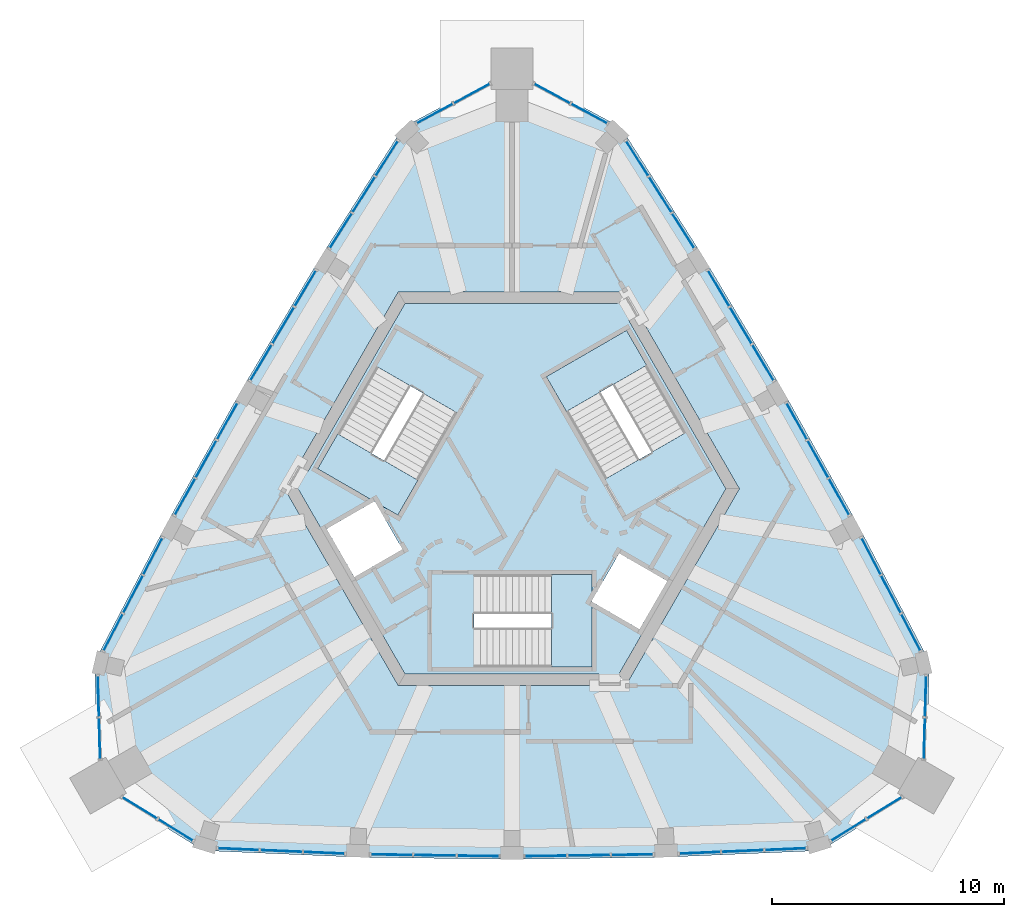
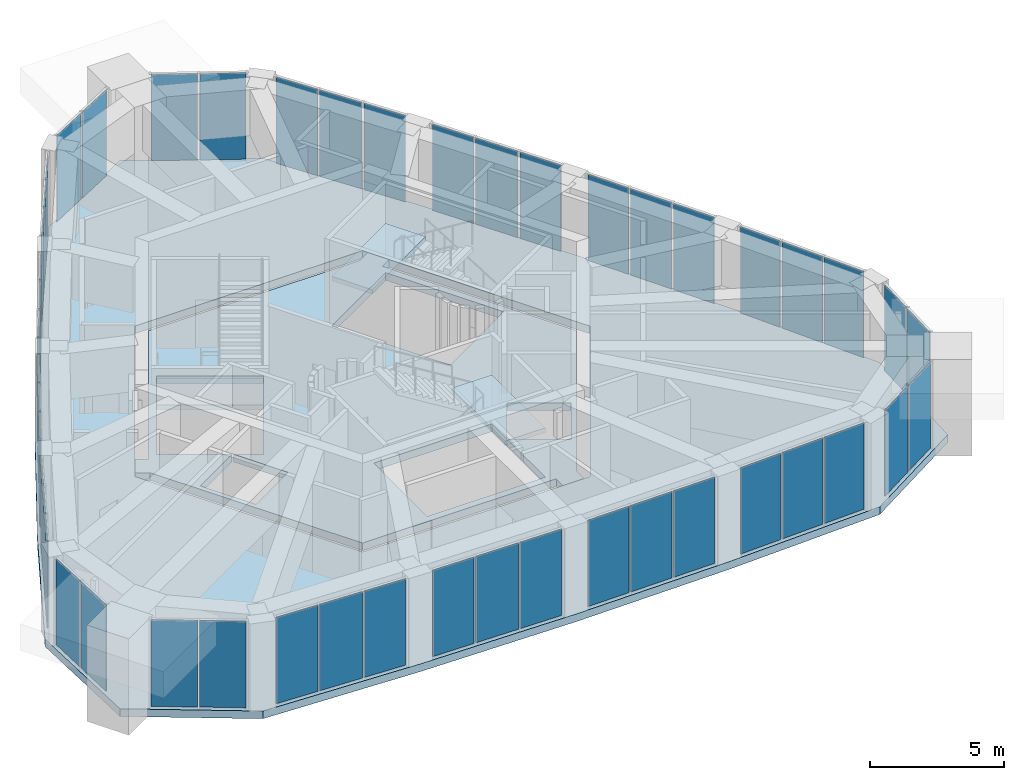
# One storey, part 6 of 11: 48 plates, 5 slabs, 21 elements without a shape of their own.
"""IFC4 building model written with IfcOpenShell, lengths in metres."""

from ifc_helpers import new_model, si_unit, direction, frame, origin, origin_2d, place, context, subcontext, project, spatial, polyline, rectangle, outline, extrude, material, layer, layer_set, type_object, element, aggregate, save


model = new_model("IFC4")

# Units and contexts
model_context = context("Model", 3, precision=1e-05, world=origin(), true_north=direction((0.0, 1.0)))
body_context = subcontext(model_context, "Body", "Model", "MODEL_VIEW")
ifc_project = project(units=[si_unit("LENGTHUNIT", "METRE"), si_unit("AREAUNIT", "SQUARE_METRE"), si_unit("VOLUMEUNIT", "CUBIC_METRE"), si_unit("PLANEANGLEUNIT", "RADIAN"), si_unit("MASSUNIT", "GRAM", prefix="KILO")], contexts=[model_context])

# Site, building, storey
site_placement = place(None, origin())
site = spatial("IfcSite", under=ifc_project, at=site_placement, CompositionType="ELEMENT")
building_placement = place(site_placement, origin())
building = spatial("IfcBuilding", under=site, at=building_placement, Name="Entoto Arch Interchange Tower", CompositionType="ELEMENT")
storey_placement = place(building_placement, frame((0.0, 0.0, 353.89990234375)))
storey = spatial("IfcBuildingStorey", under=building, at=storey_placement, Name="L83", CompositionType="ELEMENT", Elevation=353.89990234375)

# Slab
ifc_material_1 = material(Name="Concrete C40/50", Category="concrete")
ifc_layer_1 = layer(ifc_material_1, 0.35009765625)
ifc_layer_set_1 = layer_set([ifc_layer_1], Name="Concrete C40/50")
slab_type_1 = type_object("IfcSlabType", Name="Core floor slab 350 C40/50", PredefinedType="FLOOR", material=ifc_layer_set_1)
slab_1_placement = place(storey_placement, frame((0.0, 0.0, -0.349853515625)))
element("IfcSlab", 1, at=slab_1_placement, inside=storey, type_object=slab_type_1, Name="Core floor slab L83", PredefinedType="FLOOR", context=body_context, shape_type="SweptSolid", body=[
    extrude(outline(polyline([(-9.208984375, 2.449951171875), (-9.222900390625, 2.425048828125), (-9.699951171875, 2.699951171875), (-9.236083984375, 3.501953125), (-8.802978515625, 3.2529296875), (-4.618896484375, 10.5), (4.56103515625, 10.5), (4.5458984375, 10.52490234375), (5.02197265625, 10.800048828125), (5.486083984375, 9.998046875), (5.052978515625, 9.748046875), (9.238037109375, 2.5), (4.64794921875, -5.449951171875), (4.676025390625, -5.449951171875), (4.676025390625, -6.0), (3.75, -6.0), (3.75, -5.5), (-4.618896484375, -5.5), (-9.208984375, 2.449951171875)]), holes=[polyline([(5.5048828125, -3.56494140625), (6.705078125, -1.487060546875), (4.626953125, -0.287109375), (3.449951171875, -2.324951171875), (3.449951171875, -1.199951171875), (-1.64990234375, -1.199951171875), (-1.64990234375, -5.199951171875), (3.449951171875, -5.199951171875), (3.449951171875, -2.3779296875), (5.5048828125, -3.56494140625)]), polyline([(-4.928955078125, 1.362060546875), (-2.37890625, 5.779052734375), (-5.843017578125, 7.779052734375), (-8.39306640625, 3.362060546875), (-5.949951171875, 1.951904296875), (-8.0048828125, 0.764892578125), (-6.804931640625, -1.31298828125), (-4.72705078125, -0.113037109375), (-5.904052734375, 1.925048828125), (-4.928955078125, 1.362060546875)]), polyline([(7.492919921875, 4.9208984375), (4.943115234375, 9.337890625), (1.47900390625, 7.337890625), (4.029052734375, 2.9208984375), (7.492919921875, 4.9208984375)])]), origin(), (0.0, 0.0, 1.0), 0.349853515625),
])

# Stair, slab
stair_type = type_object("IfcStairType", Name="EXIT STAIR RC 1700", PredefinedType="HALF_TURN_STAIR", material=ifc_material_1)
stair_1_placement = place(storey_placement, origin())
stair_1 = element("IfcStair", 2, at=stair_1_placement, inside=storey, type_object=stair_type, Name="L83 Exit stair S", PredefinedType="HALF_TURN_STAIR")
ifc_layer_2 = layer(ifc_material_1, 0.199951171875)
ifc_layer_set_2 = layer_set([ifc_layer_2], Name="Concrete C40/50")
slab_type_2 = type_object("IfcSlabType", Name="EXIT STAIR LANDING RC 200", PredefinedType="LANDING", material=ifc_layer_set_2)
slab_2_placement = place(storey_placement, frame((0.0, 0.0, 2.050048828125)))
slab_2 = element("IfcSlab", 3, at=slab_2_placement, type_object=slab_type_2, Name="ST-S landing 1", PredefinedType="LANDING", context=body_context, shape_type="SweptSolid", body=[
    extrude(outline(polyline([(1.7099609375, -5.199951171875), (3.449951171875, -5.199951171875), (3.449951171875, -1.199951171875), (1.7099609375, -1.199951171875), (1.7099609375, -5.199951171875)])), origin(), (0.0, 0.0, 1.0), 0.199951171875),
])
aggregate(stair_1, [slab_2])

stair_2_placement = place(storey_placement, origin())
stair_2 = element("IfcStair", 4, at=stair_2_placement, inside=storey, type_object=stair_type, Name="L83 Exit stair NE", PredefinedType="HALF_TURN_STAIR")
slab_3_placement = place(storey_placement, frame((0.0, 0.0, 2.050048828125)))
slab_3 = element("IfcSlab", 5, at=slab_3_placement, type_object=slab_type_2, Name="ST-NE landing 1", PredefinedType="LANDING", context=body_context, shape_type="SweptSolid", body=[
    extrude(outline(polyline([(5.8134765625, 7.830810546875), (4.943359375, 9.337890625), (1.479248046875, 7.337890625), (2.349365234375, 5.830810546875), (5.8134765625, 7.830810546875)])), origin(), (0.0, 0.0, 1.0), 0.199951171875),
])
aggregate(stair_2, [slab_3])

stair_3_placement = place(storey_placement, origin())
stair_3 = element("IfcStair", 6, at=stair_3_placement, inside=storey, type_object=stair_type, Name="L83 Exit stair NW", PredefinedType="HALF_TURN_STAIR")
slab_4_placement = place(storey_placement, frame((0.0, 0.0, 2.050048828125)))
slab_4 = element("IfcSlab", 7, at=slab_4_placement, type_object=slab_type_2, Name="ST-NW landing 1", PredefinedType="LANDING", context=body_context, shape_type="SweptSolid", body=[
    extrude(outline(polyline([(-7.5234375, 4.869140625), (-8.393310546875, 3.3623046875), (-4.92919921875, 1.3623046875), (-4.059326171875, 2.869140625), (-7.5234375, 4.869140625)])), origin(), (0.0, 0.0, 1.0), 0.199951171875),
])
aggregate(stair_3, [slab_4])

# Curtain wall, plates
ifc_material_2 = material(Name="Aluminium, anodised", Category="aluminium")
curtain_wall_type = type_object("IfcCurtainWallType", Name="CURTAIN WALL CROWN LANTERN", PredefinedType="NOTDEFINED", material=ifc_material_2)
curtain_wall_1_placement = place(storey_placement, origin())
curtain_wall_1 = element("IfcCurtainWall", 8, at=curtain_wall_1_placement, inside=storey, type_object=curtain_wall_type, Name="Crown Lantern glazing S-01 L83", PredefinedType="NOTDEFINED")
ifc_material_3 = material(Name="Clear glass, low-e double glazed", Category="glass")
ifc_layer_3 = layer(ifc_material_3, 0.028076171875)
ifc_layer_set_3 = layer_set([ifc_layer_3], Name="Clear glass, low-e double glazed")
plate_type = type_object("IfcPlateType", Name="GLAZING PANEL CROWN LANTERN 28", PredefinedType="CURTAIN_PANEL", material=ifc_layer_set_3)
plate_1_placement = place(storey_placement, frame((-11.811767578125, -13.060791015625, 0.06005859375), z_axis=(0.0, 0.0, 1.0), x_axis=(0.999086808302, -0.042726449388, 0.0)))
plate_1 = element("IfcPlate", 9, at=plate_1_placement, type_object=plate_type, Name="CWL panel 1.1", PredefinedType="CURTAIN_PANEL", context=body_context, shape_type="SweptSolid", body=[
    extrude(rectangle(XDim=1.75244140625, YDim=0.028076171875, at=origin_2d()), origin(), (0.0, 0.0, 1.0), 3.929931640625),
])
plate_2_placement = place(storey_placement, frame((-9.9609375, -13.139892578125, 0.06005859375), z_axis=(0.0, 0.0, 1.0), x_axis=(0.999086808302, -0.042726449388, 0.0)))
plate_2 = element("IfcPlate", 10, at=plate_2_placement, type_object=plate_type, Name="CWL panel 2.1", PredefinedType="CURTAIN_PANEL", context=body_context, shape_type="SweptSolid", body=[
    extrude(rectangle(XDim=1.79248046875, YDim=0.028076171875, at=origin_2d()), origin(), (0.0, 0.0, 1.0), 3.929931640625),
])
plate_3_placement = place(storey_placement, frame((-8.1103515625, -13.21923828125, 0.06005859375), z_axis=(0.0, 0.0, 1.0), x_axis=(0.999086808302, -0.042726449388, 0.0)))
plate_3 = element("IfcPlate", 11, at=plate_3_placement, type_object=plate_type, Name="CWL panel 3.1", PredefinedType="CURTAIN_PANEL", context=body_context, shape_type="SweptSolid", body=[
    extrude(rectangle(XDim=1.75244140625, YDim=0.028076171875, at=origin_2d()), origin(), (0.0, 0.0, 1.0), 3.929931640625),
])
aggregate(curtain_wall_1, [plate_1, plate_2, plate_3])

curtain_wall_2_placement = place(storey_placement, origin())
curtain_wall_2 = element("IfcCurtainWall", 12, at=curtain_wall_2_placement, inside=storey, type_object=curtain_wall_type, Name="Crown Lantern glazing S-02 L83", PredefinedType="NOTDEFINED")
plate_4_placement = place(storey_placement, frame((-5.194091796875, -13.301513671875, 0.06005859375), z_axis=(0.0, 0.0, 1.0), x_axis=(0.999900055482, -0.014137858678, 0.0)))
plate_4 = element("IfcPlate", 13, at=plate_4_placement, type_object=plate_type, Name="CWL panel 1.1", PredefinedType="CURTAIN_PANEL", context=body_context, shape_type="SweptSolid", body=[
    extrude(rectangle(XDim=1.76611328125, YDim=0.028076171875, at=origin_2d()), origin(), (0.0, 0.0, 1.0), 3.929931640625),
])
plate_5_placement = place(storey_placement, frame((-3.327880859375, -13.327880859375, 0.06005859375), z_axis=(0.0, 0.0, 1.0), x_axis=(0.999900055482, -0.014137858678, 0.0)))
plate_5 = element("IfcPlate", 14, at=plate_5_placement, type_object=plate_type, Name="CWL panel 2.1", PredefinedType="CURTAIN_PANEL", context=body_context, shape_type="SweptSolid", body=[
    extrude(rectangle(XDim=1.80615234375, YDim=0.028076171875, at=origin_2d()), origin(), (0.0, 0.0, 1.0), 3.929931640625),
])
plate_6_placement = place(storey_placement, frame((-1.4619140625, -13.3544921875, 0.06005859375), z_axis=(0.0, 0.0, 1.0), x_axis=(0.999900055482, -0.014137858678, 0.0)))
plate_6 = element("IfcPlate", 15, at=plate_6_placement, type_object=plate_type, Name="CWL panel 3.1", PredefinedType="CURTAIN_PANEL", context=body_context, shape_type="SweptSolid", body=[
    extrude(rectangle(XDim=1.76611328125, YDim=0.028076171875, at=origin_2d()), origin(), (0.0, 0.0, 1.0), 3.929931640625),
])
aggregate(curtain_wall_2, [plate_4, plate_5, plate_6])

curtain_wall_3_placement = place(storey_placement, origin())
curtain_wall_3 = element("IfcCurtainWall", 16, at=curtain_wall_3_placement, inside=storey, type_object=curtain_wall_type, Name="Crown Lantern glazing S-03 L83", PredefinedType="NOTDEFINED")
plate_7_placement = place(storey_placement, frame((1.4619140625, -13.3544921875, 0.06005859375), z_axis=(0.0, 0.0, 1.0), x_axis=(0.999900055482, 0.014137858678, 0.0)))
plate_7 = element("IfcPlate", 17, at=plate_7_placement, type_object=plate_type, Name="CWL panel 1.1", PredefinedType="CURTAIN_PANEL", context=body_context, shape_type="SweptSolid", body=[
    extrude(rectangle(XDim=1.76611328125, YDim=0.028076171875, at=origin_2d()), origin(), (0.0, 0.0, 1.0), 3.929931640625),
])
plate_8_placement = place(storey_placement, frame((3.327880859375, -13.327880859375, 0.06005859375), z_axis=(0.0, 0.0, 1.0), x_axis=(0.999900055482, 0.014137858678, 0.0)))
plate_8 = element("IfcPlate", 18, at=plate_8_placement, type_object=plate_type, Name="CWL panel 2.1", PredefinedType="CURTAIN_PANEL", context=body_context, shape_type="SweptSolid", body=[
    extrude(rectangle(XDim=1.80615234375, YDim=0.028076171875, at=origin_2d()), origin(), (0.0, 0.0, 1.0), 3.929931640625),
])
plate_9_placement = place(storey_placement, frame((5.194091796875, -13.301513671875, 0.06005859375), z_axis=(0.0, 0.0, 1.0), x_axis=(0.999900055482, 0.014137858678, 0.0)))
plate_9 = element("IfcPlate", 19, at=plate_9_placement, type_object=plate_type, Name="CWL panel 3.1", PredefinedType="CURTAIN_PANEL", context=body_context, shape_type="SweptSolid", body=[
    extrude(rectangle(XDim=1.76611328125, YDim=0.028076171875, at=origin_2d()), origin(), (0.0, 0.0, 1.0), 3.929931640625),
])
aggregate(curtain_wall_3, [plate_7, plate_8, plate_9])

curtain_wall_4_placement = place(storey_placement, origin())
curtain_wall_4 = element("IfcCurtainWall", 20, at=curtain_wall_4_placement, inside=storey, type_object=curtain_wall_type, Name="Crown Lantern glazing S-04 L83", PredefinedType="NOTDEFINED")
plate_10_placement = place(storey_placement, frame((8.1103515625, -13.21923828125, 0.06005859375), z_axis=(0.0, 0.0, 1.0), x_axis=(0.999086808302, 0.042726449388, 0.0)))
plate_10 = element("IfcPlate", 21, at=plate_10_placement, type_object=plate_type, Name="CWL panel 1.1", PredefinedType="CURTAIN_PANEL", context=body_context, shape_type="SweptSolid", body=[
    extrude(rectangle(XDim=1.75244140625, YDim=0.028076171875, at=origin_2d()), origin(), (0.0, 0.0, 1.0), 3.929931640625),
])
plate_11_placement = place(storey_placement, frame((9.9609375, -13.139892578125, 0.06005859375), z_axis=(0.0, 0.0, 1.0), x_axis=(0.999086808302, 0.042726449388, 0.0)))
plate_11 = element("IfcPlate", 22, at=plate_11_placement, type_object=plate_type, Name="CWL panel 2.1", PredefinedType="CURTAIN_PANEL", context=body_context, shape_type="SweptSolid", body=[
    extrude(rectangle(XDim=1.79248046875, YDim=0.028076171875, at=origin_2d()), origin(), (0.0, 0.0, 1.0), 3.929931640625),
])
plate_12_placement = place(storey_placement, frame((11.811767578125, -13.060791015625, 0.06005859375), z_axis=(0.0, 0.0, 1.0), x_axis=(0.999086808302, 0.042726449388, 0.0)))
plate_12 = element("IfcPlate", 23, at=plate_12_placement, type_object=plate_type, Name="CWL panel 3.1", PredefinedType="CURTAIN_PANEL", context=body_context, shape_type="SweptSolid", body=[
    extrude(rectangle(XDim=1.75244140625, YDim=0.028076171875, at=origin_2d()), origin(), (0.0, 0.0, 1.0), 3.929931640625),
])
aggregate(curtain_wall_4, [plate_10, plate_11, plate_12])

curtain_wall_5_placement = place(storey_placement, origin())
curtain_wall_5 = element("IfcCurtainWall", 24, at=curtain_wall_5_placement, inside=storey, type_object=curtain_wall_type, Name="Crown Lantern glazing SE-01 L83", PredefinedType="NOTDEFINED")
plate_13_placement = place(storey_placement, frame((14.527587890625, -12.2314453125, 0.06005859375), z_axis=(0.0, 0.0, 1.0), x_axis=(0.851584238679, 0.524217783401, 0.0)))
plate_13 = element("IfcPlate", 25, at=plate_13_placement, type_object=plate_type, Name="CWL panel 1.1", PredefinedType="CURTAIN_PANEL", context=body_context, shape_type="SweptSolid", body=[
    extrude(rectangle(XDim=1.734130859375, YDim=0.028076171875, at=origin_2d()), origin(), (0.0, 0.0, 1.0), 3.929931640625),
])
plate_14_placement = place(storey_placement, frame((16.072509765625, -11.280517578125, 0.06005859375), z_axis=(0.0, 0.0, 1.0), x_axis=(0.851584238679, 0.524217783401, 0.0)))
plate_14 = element("IfcPlate", 26, at=plate_14_placement, type_object=plate_type, Name="CWL panel 2.1", PredefinedType="CURTAIN_PANEL", context=body_context, shape_type="SweptSolid", body=[
    extrude(rectangle(XDim=1.734130859375, YDim=0.028076171875, at=origin_2d()), origin(), (0.0, 0.0, 1.0), 3.929931640625),
])
aggregate(curtain_wall_5, [plate_13, plate_14])

curtain_wall_6_placement = place(storey_placement, origin())
curtain_wall_6 = element("IfcCurtainWall", 27, at=curtain_wall_6_placement, inside=storey, type_object=curtain_wall_type, Name="Crown Lantern glazing SE-02 L83", PredefinedType="NOTDEFINED")
plate_15_placement = place(storey_placement, frame((17.804931640625, -8.27978515625, 0.06005859375), z_axis=(0.0, 0.0, 1.0), x_axis=(0.028298180179, 0.99959952631, 0.0)))
plate_15 = element("IfcPlate", 28, at=plate_15_placement, type_object=plate_type, Name="CWL panel 1.1", PredefinedType="CURTAIN_PANEL", context=body_context, shape_type="SweptSolid", body=[
    extrude(rectangle(XDim=1.7353515625, YDim=0.028076171875, at=origin_2d()), origin(), (0.0, 0.0, 1.0), 3.929931640625),
])
plate_16_placement = place(storey_placement, frame((17.856201171875, -6.46533203125, 0.06005859375), z_axis=(0.0, 0.0, 1.0), x_axis=(0.028298180179, 0.99959952631, 0.0)))
plate_16 = element("IfcPlate", 29, at=plate_16_placement, type_object=plate_type, Name="CWL panel 2.1", PredefinedType="CURTAIN_PANEL", context=body_context, shape_type="SweptSolid", body=[
    extrude(rectangle(XDim=1.7353515625, YDim=0.028076171875, at=origin_2d()), origin(), (0.0, 0.0, 1.0), 3.929931640625),
])
aggregate(curtain_wall_6, [plate_15, plate_16])

curtain_wall_7_placement = place(storey_placement, origin())
curtain_wall_7 = element("IfcCurtainWall", 30, at=curtain_wall_7_placement, inside=storey, type_object=curtain_wall_type, Name="Crown Lantern glazing NE-01 L83", PredefinedType="NOTDEFINED")
plate_17_placement = place(storey_placement, frame((17.2177734375, -3.69873046875, 0.06005859375), z_axis=(0.0, 0.0, 1.0), x_axis=(-0.462748613378, 0.886489549186, 0.0)))
plate_17 = element("IfcPlate", 31, at=plate_17_placement, type_object=plate_type, Name="CWL panel 1.1", PredefinedType="CURTAIN_PANEL", context=body_context, shape_type="SweptSolid", body=[
    extrude(rectangle(XDim=1.75146484375, YDim=0.028076171875, at=origin_2d()), origin(), (0.0, 0.0, 1.0), 3.929931640625),
])
plate_18_placement = place(storey_placement, frame((16.361083984375, -2.0576171875, 0.06005859375), z_axis=(0.0, 0.0, 1.0), x_axis=(-0.462748613378, 0.886489549186, 0.0)))
plate_18 = element("IfcPlate", 32, at=plate_18_placement, type_object=plate_type, Name="CWL panel 2.1", PredefinedType="CURTAIN_PANEL", context=body_context, shape_type="SweptSolid", body=[
    extrude(rectangle(XDim=1.79150390625, YDim=0.028076171875, at=origin_2d()), origin(), (0.0, 0.0, 1.0), 3.929931640625),
])
plate_19_placement = place(storey_placement, frame((15.504150390625, -0.416259765625, 0.06005859375), z_axis=(0.0, 0.0, 1.0), x_axis=(-0.462748613378, 0.886489549186, 0.0)))
plate_19 = element("IfcPlate", 33, at=plate_19_placement, type_object=plate_type, Name="CWL panel 3.1", PredefinedType="CURTAIN_PANEL", context=body_context, shape_type="SweptSolid", body=[
    extrude(rectangle(XDim=1.75146484375, YDim=0.028076171875, at=origin_2d()), origin(), (0.0, 0.0, 1.0), 3.929931640625),
])
aggregate(curtain_wall_7, [plate_17, plate_18, plate_19])

curtain_wall_8_placement = place(storey_placement, origin())
curtain_wall_8 = element("IfcCurtainWall", 34, at=curtain_wall_8_placement, inside=storey, type_object=curtain_wall_type, Name="Crown Lantern glazing NE-02 L83", PredefinedType="NOTDEFINED")
plate_20_placement = place(storey_placement, frame((14.117919921875, 2.150390625, 0.06005859375), z_axis=(0.0, 0.0, 1.0), x_axis=(-0.487785733375, 0.872963388875, 0.0)))
plate_20 = element("IfcPlate", 35, at=plate_20_placement, type_object=plate_type, Name="CWL panel 1.1", PredefinedType="CURTAIN_PANEL", context=body_context, shape_type="SweptSolid", body=[
    extrude(rectangle(XDim=1.767333984375, YDim=0.028076171875, at=origin_2d()), origin(), (0.0, 0.0, 1.0), 3.929931640625),
])
plate_21_placement = place(storey_placement, frame((13.20703125, 3.780517578125, 0.06005859375), z_axis=(0.0, 0.0, 1.0), x_axis=(-0.487785733375, 0.872963388875, 0.0)))
plate_21 = element("IfcPlate", 36, at=plate_21_placement, type_object=plate_type, Name="CWL panel 2.1", PredefinedType="CURTAIN_PANEL", context=body_context, shape_type="SweptSolid", body=[
    extrude(rectangle(XDim=1.807373046875, YDim=0.028076171875, at=origin_2d()), origin(), (0.0, 0.0, 1.0), 3.929931640625),
])
plate_22_placement = place(storey_placement, frame((12.296142578125, 5.41064453125, 0.06005859375), z_axis=(0.0, 0.0, 1.0), x_axis=(-0.487785733375, 0.872963388875, 0.0)))
plate_22 = element("IfcPlate", 37, at=plate_22_placement, type_object=plate_type, Name="CWL panel 3.1", PredefinedType="CURTAIN_PANEL", context=body_context, shape_type="SweptSolid", body=[
    extrude(rectangle(XDim=1.767333984375, YDim=0.028076171875, at=origin_2d()), origin(), (0.0, 0.0, 1.0), 3.929931640625),
])
aggregate(curtain_wall_8, [plate_20, plate_21, plate_22])

curtain_wall_9_placement = place(storey_placement, origin())
curtain_wall_9 = element("IfcCurtainWall", 38, at=curtain_wall_9_placement, inside=storey, type_object=curtain_wall_type, Name="Crown Lantern glazing NE-03 L83", PredefinedType="NOTDEFINED")
plate_23_placement = place(storey_placement, frame((10.83349609375, 7.943603515625, 0.06005859375), z_axis=(0.0, 0.0, 1.0), x_axis=(-0.512182312692, 0.858876754002, 0.0)))
plate_23 = element("IfcPlate", 39, at=plate_23_placement, type_object=plate_type, Name="CWL panel 1.1", PredefinedType="CURTAIN_PANEL", context=body_context, shape_type="SweptSolid", body=[
    extrude(rectangle(XDim=1.767333984375, YDim=0.028076171875, at=origin_2d()), origin(), (0.0, 0.0, 1.0), 3.929931640625),
])
plate_24_placement = place(storey_placement, frame((9.876953125, 9.547607421875, 0.06005859375), z_axis=(0.0, 0.0, 1.0), x_axis=(-0.512182312692, 0.858876754002, 0.0)))
plate_24 = element("IfcPlate", 40, at=plate_24_placement, type_object=plate_type, Name="CWL panel 2.1", PredefinedType="CURTAIN_PANEL", context=body_context, shape_type="SweptSolid", body=[
    extrude(rectangle(XDim=1.807373046875, YDim=0.028076171875, at=origin_2d()), origin(), (0.0, 0.0, 1.0), 3.929931640625),
])
plate_25_placement = place(storey_placement, frame((8.920654296875, 11.1513671875, 0.06005859375), z_axis=(0.0, 0.0, 1.0), x_axis=(-0.512182312692, 0.858876754002, 0.0)))
plate_25 = element("IfcPlate", 41, at=plate_25_placement, type_object=plate_type, Name="CWL panel 3.1", PredefinedType="CURTAIN_PANEL", context=body_context, shape_type="SweptSolid", body=[
    extrude(rectangle(XDim=1.767333984375, YDim=0.028076171875, at=origin_2d()), origin(), (0.0, 0.0, 1.0), 3.929931640625),
])
aggregate(curtain_wall_9, [plate_23, plate_24, plate_25])

curtain_wall_10_placement = place(storey_placement, origin())
curtain_wall_10 = element("IfcCurtainWall", 42, at=curtain_wall_10_placement, inside=storey, type_object=curtain_wall_type, Name="Crown Lantern glazing NE-04 L83", PredefinedType="NOTDEFINED")
plate_26_placement = place(storey_placement, frame((7.391357421875, 13.635498046875, 0.06005859375), z_axis=(0.0, 0.0, 1.0), x_axis=(-0.536437357781, 0.843940140755, 0.0)))
plate_26 = element("IfcPlate", 43, at=plate_26_placement, type_object=plate_type, Name="CWL panel 1.1", PredefinedType="CURTAIN_PANEL", context=body_context, shape_type="SweptSolid", body=[
    extrude(rectangle(XDim=1.7509765625, YDim=0.028076171875, at=origin_2d()), origin(), (0.0, 0.0, 1.0), 3.929931640625),
])
plate_27_placement = place(storey_placement, frame((6.3984375, 15.197509765625, 0.06005859375), z_axis=(0.0, 0.0, 1.0), x_axis=(-0.536437357781, 0.843940140755, 0.0)))
plate_27 = element("IfcPlate", 44, at=plate_27_placement, type_object=plate_type, Name="CWL panel 2.1", PredefinedType="CURTAIN_PANEL", context=body_context, shape_type="SweptSolid", body=[
    extrude(rectangle(XDim=1.791015625, YDim=0.028076171875, at=origin_2d()), origin(), (0.0, 0.0, 1.0), 3.929931640625),
])
plate_28_placement = place(storey_placement, frame((5.405517578125, 16.759521484375, 0.06005859375), z_axis=(0.0, 0.0, 1.0), x_axis=(-0.536437357781, 0.843940140755, 0.0)))
plate_28 = element("IfcPlate", 45, at=plate_28_placement, type_object=plate_type, Name="CWL panel 3.1", PredefinedType="CURTAIN_PANEL", context=body_context, shape_type="SweptSolid", body=[
    extrude(rectangle(XDim=1.7509765625, YDim=0.028076171875, at=origin_2d()), origin(), (0.0, 0.0, 1.0), 3.929931640625),
])
aggregate(curtain_wall_10, [plate_26, plate_27, plate_28])

curtain_wall_11_placement = place(storey_placement, origin())
curtain_wall_11 = element("IfcCurtainWall", 46, at=curtain_wall_11_placement, inside=storey, type_object=curtain_wall_type, Name="Crown Lantern glazing N-01 L83", PredefinedType="NOTDEFINED")
plate_29_placement = place(storey_placement, frame((3.32861328125, 18.697021484375, 0.06005859375), z_axis=(0.0, 0.0, 1.0), x_axis=(-0.879907652484, 0.475144739105, 0.0)))
plate_29 = element("IfcPlate", 47, at=plate_29_placement, type_object=plate_type, Name="CWL panel 1.1", PredefinedType="CURTAIN_PANEL", context=body_context, shape_type="SweptSolid", body=[
    extrude(rectangle(XDim=1.734130859375, YDim=0.028076171875, at=origin_2d()), origin(), (0.0, 0.0, 1.0), 3.929931640625),
])
plate_30_placement = place(storey_placement, frame((1.732421875, 19.55908203125, 0.06005859375), z_axis=(0.0, 0.0, 1.0), x_axis=(-0.879907652484, 0.475144739105, 0.0)))
plate_30 = element("IfcPlate", 48, at=plate_30_placement, type_object=plate_type, Name="CWL panel 2.1", PredefinedType="CURTAIN_PANEL", context=body_context, shape_type="SweptSolid", body=[
    extrude(rectangle(XDim=1.734130859375, YDim=0.028076171875, at=origin_2d()), origin(), (0.0, 0.0, 1.0), 3.929931640625),
])
aggregate(curtain_wall_11, [plate_29, plate_30])

curtain_wall_12_placement = place(storey_placement, origin())
curtain_wall_12 = element("IfcCurtainWall", 49, at=curtain_wall_12_placement, inside=storey, type_object=curtain_wall_type, Name="Crown Lantern glazing N-02 L83", PredefinedType="NOTDEFINED")
plate_31_placement = place(storey_placement, frame((-1.732421875, 19.55908203125, 0.06005859375), z_axis=(0.0, 0.0, 1.0), x_axis=(-0.879907652484, -0.475144739105, 0.0)))
plate_31 = element("IfcPlate", 50, at=plate_31_placement, type_object=plate_type, Name="CWL panel 1.1", PredefinedType="CURTAIN_PANEL", context=body_context, shape_type="SweptSolid", body=[
    extrude(rectangle(XDim=1.734130859375, YDim=0.028076171875, at=origin_2d()), origin(), (0.0, 0.0, 1.0), 3.929931640625),
])
plate_32_placement = place(storey_placement, frame((-3.32861328125, 18.697021484375, 0.06005859375), z_axis=(0.0, 0.0, 1.0), x_axis=(-0.879907652484, -0.475144739105, 0.0)))
plate_32 = element("IfcPlate", 51, at=plate_32_placement, type_object=plate_type, Name="CWL panel 2.1", PredefinedType="CURTAIN_PANEL", context=body_context, shape_type="SweptSolid", body=[
    extrude(rectangle(XDim=1.734130859375, YDim=0.028076171875, at=origin_2d()), origin(), (0.0, 0.0, 1.0), 3.929931640625),
])
aggregate(curtain_wall_12, [plate_31, plate_32])

curtain_wall_13_placement = place(storey_placement, origin())
curtain_wall_13 = element("IfcCurtainWall", 52, at=curtain_wall_13_placement, inside=storey, type_object=curtain_wall_type, Name="Crown Lantern glazing NW-01 L83", PredefinedType="NOTDEFINED")
plate_33_placement = place(storey_placement, frame((-5.405517578125, 16.759521484375, 0.06005859375), z_axis=(0.0, 0.0, 1.0), x_axis=(-0.536437357781, -0.843940140755, 0.0)))
plate_33 = element("IfcPlate", 53, at=plate_33_placement, type_object=plate_type, Name="CWL panel 1.1", PredefinedType="CURTAIN_PANEL", context=body_context, shape_type="SweptSolid", body=[
    extrude(rectangle(XDim=1.7509765625, YDim=0.028076171875, at=origin_2d()), origin(), (0.0, 0.0, 1.0), 3.929931640625),
])
plate_34_placement = place(storey_placement, frame((-6.3984375, 15.197509765625, 0.06005859375), z_axis=(0.0, 0.0, 1.0), x_axis=(-0.536437357781, -0.843940140755, 0.0)))
plate_34 = element("IfcPlate", 54, at=plate_34_placement, type_object=plate_type, Name="CWL panel 2.1", PredefinedType="CURTAIN_PANEL", context=body_context, shape_type="SweptSolid", body=[
    extrude(rectangle(XDim=1.791015625, YDim=0.028076171875, at=origin_2d()), origin(), (0.0, 0.0, 1.0), 3.929931640625),
])
plate_35_placement = place(storey_placement, frame((-7.391357421875, 13.635498046875, 0.06005859375), z_axis=(0.0, 0.0, 1.0), x_axis=(-0.536437357781, -0.843940140755, 0.0)))
plate_35 = element("IfcPlate", 55, at=plate_35_placement, type_object=plate_type, Name="CWL panel 3.1", PredefinedType="CURTAIN_PANEL", context=body_context, shape_type="SweptSolid", body=[
    extrude(rectangle(XDim=1.7509765625, YDim=0.028076171875, at=origin_2d()), origin(), (0.0, 0.0, 1.0), 3.929931640625),
])
aggregate(curtain_wall_13, [plate_33, plate_34, plate_35])

curtain_wall_14_placement = place(storey_placement, origin())
curtain_wall_14 = element("IfcCurtainWall", 56, at=curtain_wall_14_placement, inside=storey, type_object=curtain_wall_type, Name="Crown Lantern glazing NW-02 L83", PredefinedType="NOTDEFINED")
plate_36_placement = place(storey_placement, frame((-8.920654296875, 11.1513671875, 0.06005859375), z_axis=(0.0, 0.0, 1.0), x_axis=(-0.512182312692, -0.858876754002, 0.0)))
plate_36 = element("IfcPlate", 57, at=plate_36_placement, type_object=plate_type, Name="CWL panel 1.1", PredefinedType="CURTAIN_PANEL", context=body_context, shape_type="SweptSolid", body=[
    extrude(rectangle(XDim=1.767333984375, YDim=0.028076171875, at=origin_2d()), origin(), (0.0, 0.0, 1.0), 3.929931640625),
])
plate_37_placement = place(storey_placement, frame((-9.876953125, 9.547607421875, 0.06005859375), z_axis=(0.0, 0.0, 1.0), x_axis=(-0.512182312692, -0.858876754002, 0.0)))
plate_37 = element("IfcPlate", 58, at=plate_37_placement, type_object=plate_type, Name="CWL panel 2.1", PredefinedType="CURTAIN_PANEL", context=body_context, shape_type="SweptSolid", body=[
    extrude(rectangle(XDim=1.807373046875, YDim=0.028076171875, at=origin_2d()), origin(), (0.0, 0.0, 1.0), 3.929931640625),
])
plate_38_placement = place(storey_placement, frame((-10.83349609375, 7.943603515625, 0.06005859375), z_axis=(0.0, 0.0, 1.0), x_axis=(-0.512182312692, -0.858876754002, 0.0)))
plate_38 = element("IfcPlate", 59, at=plate_38_placement, type_object=plate_type, Name="CWL panel 3.1", PredefinedType="CURTAIN_PANEL", context=body_context, shape_type="SweptSolid", body=[
    extrude(rectangle(XDim=1.767333984375, YDim=0.028076171875, at=origin_2d()), origin(), (0.0, 0.0, 1.0), 3.929931640625),
])
aggregate(curtain_wall_14, [plate_36, plate_37, plate_38])

curtain_wall_15_placement = place(storey_placement, origin())
curtain_wall_15 = element("IfcCurtainWall", 60, at=curtain_wall_15_placement, inside=storey, type_object=curtain_wall_type, Name="Crown Lantern glazing NW-03 L83", PredefinedType="NOTDEFINED")
plate_39_placement = place(storey_placement, frame((-12.296142578125, 5.41064453125, 0.06005859375), z_axis=(0.0, 0.0, 1.0), x_axis=(-0.487785733375, -0.872963388875, 0.0)))
plate_39 = element("IfcPlate", 61, at=plate_39_placement, type_object=plate_type, Name="CWL panel 1.1", PredefinedType="CURTAIN_PANEL", context=body_context, shape_type="SweptSolid", body=[
    extrude(rectangle(XDim=1.767333984375, YDim=0.028076171875, at=origin_2d()), origin(), (0.0, 0.0, 1.0), 3.929931640625),
])
plate_40_placement = place(storey_placement, frame((-13.20703125, 3.780517578125, 0.06005859375), z_axis=(0.0, 0.0, 1.0), x_axis=(-0.487785733375, -0.872963388875, 0.0)))
plate_40 = element("IfcPlate", 62, at=plate_40_placement, type_object=plate_type, Name="CWL panel 2.1", PredefinedType="CURTAIN_PANEL", context=body_context, shape_type="SweptSolid", body=[
    extrude(rectangle(XDim=1.807373046875, YDim=0.028076171875, at=origin_2d()), origin(), (0.0, 0.0, 1.0), 3.929931640625),
])
plate_41_placement = place(storey_placement, frame((-14.117919921875, 2.150390625, 0.06005859375), z_axis=(0.0, 0.0, 1.0), x_axis=(-0.487785733375, -0.872963388875, 0.0)))
plate_41 = element("IfcPlate", 63, at=plate_41_placement, type_object=plate_type, Name="CWL panel 3.1", PredefinedType="CURTAIN_PANEL", context=body_context, shape_type="SweptSolid", body=[
    extrude(rectangle(XDim=1.767333984375, YDim=0.028076171875, at=origin_2d()), origin(), (0.0, 0.0, 1.0), 3.929931640625),
])
aggregate(curtain_wall_15, [plate_39, plate_40, plate_41])

curtain_wall_16_placement = place(storey_placement, origin())
curtain_wall_16 = element("IfcCurtainWall", 64, at=curtain_wall_16_placement, inside=storey, type_object=curtain_wall_type, Name="Crown Lantern glazing NW-04 L83", PredefinedType="NOTDEFINED")
plate_42_placement = place(storey_placement, frame((-15.504150390625, -0.416259765625, 0.06005859375), z_axis=(0.0, 0.0, 1.0), x_axis=(-0.462748613378, -0.886489549186, 0.0)))
plate_42 = element("IfcPlate", 65, at=plate_42_placement, type_object=plate_type, Name="CWL panel 1.1", PredefinedType="CURTAIN_PANEL", context=body_context, shape_type="SweptSolid", body=[
    extrude(rectangle(XDim=1.75146484375, YDim=0.028076171875, at=origin_2d()), origin(), (0.0, 0.0, 1.0), 3.929931640625),
])
plate_43_placement = place(storey_placement, frame((-16.361083984375, -2.0576171875, 0.06005859375), z_axis=(0.0, 0.0, 1.0), x_axis=(-0.462748613378, -0.886489549186, 0.0)))
plate_43 = element("IfcPlate", 66, at=plate_43_placement, type_object=plate_type, Name="CWL panel 2.1", PredefinedType="CURTAIN_PANEL", context=body_context, shape_type="SweptSolid", body=[
    extrude(rectangle(XDim=1.79150390625, YDim=0.028076171875, at=origin_2d()), origin(), (0.0, 0.0, 1.0), 3.929931640625),
])
plate_44_placement = place(storey_placement, frame((-17.2177734375, -3.69873046875, 0.06005859375), z_axis=(0.0, 0.0, 1.0), x_axis=(-0.462748613378, -0.886489549186, 0.0)))
plate_44 = element("IfcPlate", 67, at=plate_44_placement, type_object=plate_type, Name="CWL panel 3.1", PredefinedType="CURTAIN_PANEL", context=body_context, shape_type="SweptSolid", body=[
    extrude(rectangle(XDim=1.75146484375, YDim=0.028076171875, at=origin_2d()), origin(), (0.0, 0.0, 1.0), 3.929931640625),
])
aggregate(curtain_wall_16, [plate_42, plate_43, plate_44])

curtain_wall_17_placement = place(storey_placement, origin())
curtain_wall_17 = element("IfcCurtainWall", 68, at=curtain_wall_17_placement, inside=storey, type_object=curtain_wall_type, Name="Crown Lantern glazing SW-01 L83", PredefinedType="NOTDEFINED")
plate_45_placement = place(storey_placement, frame((-17.856201171875, -6.46533203125, 0.06005859375), z_axis=(0.0, 0.0, 1.0), x_axis=(0.028298180179, -0.99959952631, 0.0)))
plate_45 = element("IfcPlate", 69, at=plate_45_placement, type_object=plate_type, Name="CWL panel 1.1", PredefinedType="CURTAIN_PANEL", context=body_context, shape_type="SweptSolid", body=[
    extrude(rectangle(XDim=1.7353515625, YDim=0.028076171875, at=origin_2d()), origin(), (0.0, 0.0, 1.0), 3.929931640625),
])
plate_46_placement = place(storey_placement, frame((-17.804931640625, -8.27978515625, 0.06005859375), z_axis=(0.0, 0.0, 1.0), x_axis=(0.028298180179, -0.99959952631, 0.0)))
plate_46 = element("IfcPlate", 70, at=plate_46_placement, type_object=plate_type, Name="CWL panel 2.1", PredefinedType="CURTAIN_PANEL", context=body_context, shape_type="SweptSolid", body=[
    extrude(rectangle(XDim=1.7353515625, YDim=0.028076171875, at=origin_2d()), origin(), (0.0, 0.0, 1.0), 3.929931640625),
])
aggregate(curtain_wall_17, [plate_45, plate_46])

curtain_wall_18_placement = place(storey_placement, origin())
curtain_wall_18 = element("IfcCurtainWall", 71, at=curtain_wall_18_placement, inside=storey, type_object=curtain_wall_type, Name="Crown Lantern glazing SW-02 L83", PredefinedType="NOTDEFINED")
plate_47_placement = place(storey_placement, frame((-16.072509765625, -11.280517578125, 0.06005859375), z_axis=(0.0, 0.0, 1.0), x_axis=(0.851584238679, -0.524217783401, 0.0)))
plate_47 = element("IfcPlate", 72, at=plate_47_placement, type_object=plate_type, Name="CWL panel 1.1", PredefinedType="CURTAIN_PANEL", context=body_context, shape_type="SweptSolid", body=[
    extrude(rectangle(XDim=1.734130859375, YDim=0.028076171875, at=origin_2d()), origin(), (0.0, 0.0, 1.0), 3.929931640625),
])
plate_48_placement = place(storey_placement, frame((-14.527587890625, -12.2314453125, 0.06005859375), z_axis=(0.0, 0.0, 1.0), x_axis=(0.851584238679, -0.524217783401, 0.0)))
plate_48 = element("IfcPlate", 73, at=plate_48_placement, type_object=plate_type, Name="CWL panel 2.1", PredefinedType="CURTAIN_PANEL", context=body_context, shape_type="SweptSolid", body=[
    extrude(rectangle(XDim=1.734130859375, YDim=0.028076171875, at=origin_2d()), origin(), (0.0, 0.0, 1.0), 3.929931640625),
])
aggregate(curtain_wall_18, [plate_47, plate_48])

# Slab
ifc_layer_4 = layer(ifc_material_1, 0.35009765625)
ifc_layer_set_4 = layer_set([ifc_layer_4], Name="Concrete C40/50")
slab_type_3 = type_object("IfcSlabType", Name="Post-tensioned flat plate 350 C40/50", PredefinedType="FLOOR", material=ifc_layer_set_4)
slab_5_placement = place(storey_placement, frame((0.0, 0.0, -0.349853515625)))
element("IfcSlab", 74, at=slab_5_placement, inside=storey, type_object=slab_type_3, Name="Floor slab L83", PredefinedType="FLOOR", context=body_context, shape_type="SweptSolid", body=[
    extrude(outline(polyline([(-13.320068359375, -13.1220703125), (-6.659912109375, -13.406005859375), (0.0, -13.5), (6.659912109375, -13.406005859375), (13.320068359375, -13.1220703125), (17.8720703125, -10.319091796875), (18.02392578125, -4.97412109375), (14.94091796875, 0.93310546875), (11.69091796875, 6.75), (8.278076171875, 12.472900390625), (4.7041015625, 18.095947265625), (0.0, 20.636962890625), (-4.7041015625, 18.095947265625), (-8.278076171875, 12.472900390625), (-11.69091796875, 6.75), (-14.94091796875, 0.93310546875), (-18.02392578125, -4.97412109375), (-17.8720703125, -10.319091796875), (-13.320068359375, -13.1220703125)]), holes=[polyline([(4.906982421875, 11.0), (-4.906982421875, 11.0), (-9.81494140625, 2.5), (-4.906982421875, -6.0), (4.906982421875, -6.0), (9.81494140625, 2.5), (4.906982421875, 11.0)])]), origin(), (0.0, 0.0, 1.0), 0.349853515625),
])

save(model, "model.ifc")
